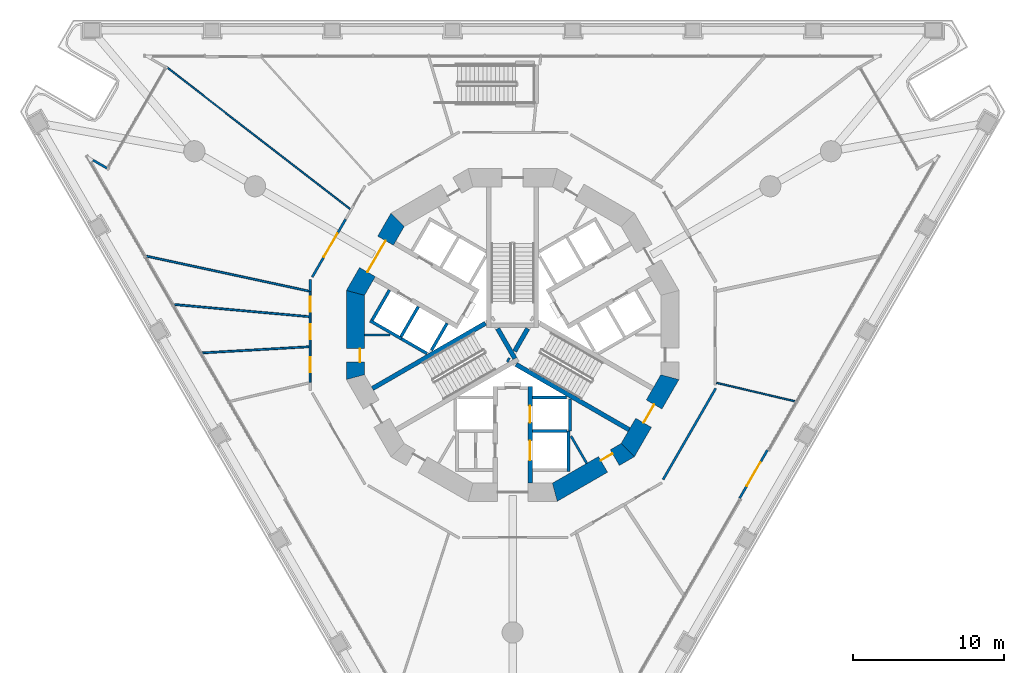
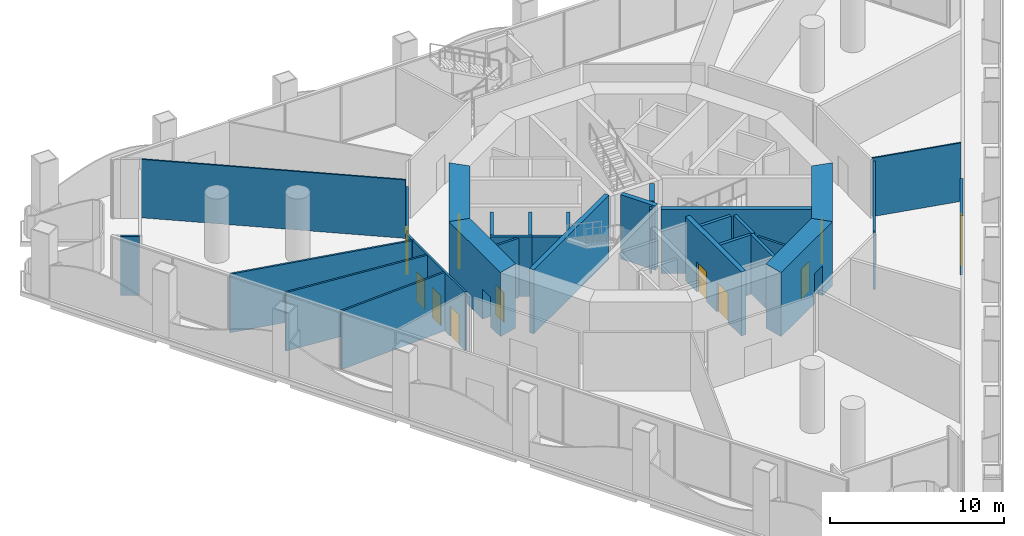
# One storey, part 12 of 23: 32 walls, 11 doors, 11 openings.
"""IFC4 building model written with IfcOpenShell, lengths in metres."""

from ifc_helpers import new_model, si_unit, direction, frame, frame_2d, origin, place, context, subcontext, project, spatial, polyline, rectangle, outline, extrude, material, layer, layer_set, type_object, element, fill, save


model = new_model("IFC4")

# Units and contexts
model_context = context("Model", 3, precision=1e-05, world=origin(), true_north=direction((0.0, 1.0)))
body_context = subcontext(model_context, "Body", "Model", "MODEL_VIEW")
ifc_project = project(units=[si_unit("LENGTHUNIT", "METRE"), si_unit("AREAUNIT", "SQUARE_METRE"), si_unit("VOLUMEUNIT", "CUBIC_METRE"), si_unit("PLANEANGLEUNIT", "RADIAN"), si_unit("MASSUNIT", "GRAM", prefix="KILO")], contexts=[model_context])

# Site, building, storey
site_placement = place(None, origin())
site = spatial("IfcSite", under=ifc_project, at=site_placement, CompositionType="ELEMENT")
building_placement = place(site_placement, origin())
building = spatial("IfcBuilding", under=site, at=building_placement, Name="Trine Commons Tower", CompositionType="ELEMENT")
storey_placement = place(building_placement, frame((0.0, 0.0, 18.0)))
storey = spatial("IfcBuildingStorey", under=building, at=storey_placement, Name="L03", CompositionType="ELEMENT", Elevation=18.0)

# Wall
ifc_material_1 = material(Name="Plasterboard on steel stud", Category="steel")
ifc_layer_1 = layer(ifc_material_1, 0.14990234375)
ifc_layer_set_1 = layer_set([ifc_layer_1], Name="Plasterboard on steel stud")
wall_type_1 = type_object("IfcWallType", Name="Compartment wall 150 mm, EI 60", PredefinedType="PARTITIONING", material=ifc_layer_set_1)
wall_1_placement = place(storey_placement, frame((66.58837890625, 65.388916015625, 0.0), z_axis=(0.0, 0.0, 1.0), x_axis=(0.0, 1.0, 0.0)))
element("IfcWall", 1, at=wall_1_placement, inside=storey, type_object=wall_type_1, Name="Partition P3010", PredefinedType="PARTITIONING", context=body_context, shape_type="SweptSolid", body=[
    extrude(rectangle(XDim=0.77978515625, YDim=0.14990234375, at=frame_2d((0.389892578125, 0.0))), origin(), (0.0, 0.0, 1.0), 4.10009765625),
])

# Wall, opening, door
wall_2_placement = place(storey_placement, frame((68.94140625, 70.1689453125, 0.0), z_axis=(0.0, 0.0, 1.0), x_axis=(-0.499983483481, -0.866034939391, 0.0)))
wall_2 = element("IfcWall", 2, at=wall_2_placement, inside=storey, type_object=wall_type_1, Name="Partition P3011", PredefinedType="PARTITIONING", context=body_context, shape_type="SweptSolid", body=[
    extrude(rectangle(XDim=4.426025390625, YDim=0.14990234375, at=frame_2d((2.212890625, 0.0))), origin(), (0.0, 0.0, 1.0), 4.10009765625),
])
opening_1_placement = place(wall_2_placement, frame((1.0966796875, 0.0, 0.0)))
opening_1 = element("IfcOpeningElement", 3, at=opening_1_placement, cuts=wall_2, Name="Opening D-P305", PredefinedType="OPENING", context=body_context, shape_type="SweptSolid", body=[
    extrude(rectangle(XDim=1.800048828125, YDim=2.10009765625, at=frame_2d((0.89990234375, 1.050048828125))), frame((0.0, 0.0849609375, 0.0), z_axis=(0.0, -1.0, 0.0), x_axis=(1.0, 0.0, 0.0)), (0.0, 0.0, 1.0), 0.169921875),
])
ifc_material_2 = material(Name="Timber fire door set", Category="wood")
door_type_1 = type_object("IfcDoorType", Name="Double swing door 1800x2100, FD30S", OperationType="DOUBLE_DOOR_DOUBLE_SWING", PredefinedType="DOOR", material=ifc_material_2)
door_1_placement = place(opening_1_placement, origin())
door_1 = element("IfcDoor", 4, at=door_1_placement, inside=storey, type_object=door_type_1, Name="Door D-P305", OperationType="DOUBLE_DOOR_DOUBLE_SWING", OverallHeight=2.10009765625, OverallWidth=1.800048828125, PredefinedType="DOOR", context=body_context, shape_type="SweptSolid", body=[
    extrude(rectangle(XDim=1.800048828125, YDim=2.10009765625, at=frame_2d((0.89990234375, 1.050048828125))), frame((0.0, 0.02490234375, 0.0), z_axis=(0.0, -1.0, 0.0), x_axis=(1.0, 0.0, 0.0)), (0.0, 0.0, 1.0), 0.050048828125),
])
fill(opening_1, door_1)

# Walls
wall_3_placement = place(storey_placement, frame((89.9580078125, 52.924560546875, 0.0), z_axis=(0.0, 0.0, 1.0), x_axis=(0.49997871953, 0.866037689721, 0.0)))
element("IfcWall", 5, at=wall_3_placement, inside=storey, type_object=wall_type_1, Name="Partition P3029", PredefinedType="PARTITIONING", context=body_context, shape_type="SweptSolid", body=[
    extrude(rectangle(XDim=6.982177734375, YDim=0.14990234375, at=frame_2d((3.4912109375, 0.0))), origin(), (0.0, 0.0, 1.0), 4.10009765625),
])
ifc_material_3 = material(Name="Plasterboard partition on steel studs", Category="steel")
ifc_layer_2 = layer(ifc_material_3, 0.14990234375)
ifc_layer_set_2 = layer_set([ifc_layer_2], Name="Plasterboard partition on steel studs")
wall_type_2 = type_object("IfcWallType", Name="Core room partition 150 mm, EI 60", PredefinedType="PARTITIONING", material=ifc_layer_set_2)
wall_4_placement = place(storey_placement, frame((70.18798828125, 62.5, 0.0), z_axis=(0.0, 0.0, 1.0), x_axis=(1.0, 0.0, 0.0)))
element("IfcWall", 6, at=wall_4_placement, inside=storey, type_object=wall_type_2, Name="Core room partition L03", PredefinedType="PARTITIONING", context=body_context, shape_type="SweptSolid", body=[
    extrude(rectangle(XDim=1.68310546875, YDim=0.14990234375, at=frame_2d((0.841552734375, 0.0))), origin(), (0.0, 0.0, 1.0), 4.14990234375),
])
wall_5_placement = place(storey_placement, frame((84.905029296875, 54.0029296875, 0.0), z_axis=(0.0, 0.0, 1.0), x_axis=(-0.5000780968, 0.865980309881, 0.0)))
element("IfcWall", 7, at=wall_5_placement, inside=storey, type_object=wall_type_2, Name="Core room partition L03", PredefinedType="PARTITIONING", context=body_context, shape_type="SweptSolid", body=[
    extrude(rectangle(XDim=2.079833984375, YDim=0.14990234375, at=frame_2d((1.0400390625, 0.0))), origin(), (0.0, 0.0, 1.0), 4.14990234375),
])

# Wall, opening, door
ifc_material_4 = material(Name="Aluminium-framed insulated wall panel", Category="aluminium")
ifc_layer_3 = layer(ifc_material_4, 0.14990234375)
ifc_layer_set_3 = layer_set([ifc_layer_3], Name="Aluminium-framed insulated wall panel")
wall_type_3 = type_object("IfcWallType", Name="Glazed entrance wall 150, EI 60", PredefinedType="SOLIDWALL", material=ifc_layer_set_3)
wall_6_placement = place(storey_placement, frame((96.876708984375, 54.89208984375, 0.0), z_axis=(0.0, 0.0, 1.0), x_axis=(-0.500029062817, -0.866008623709, 0.0)))
wall_6 = element("IfcWall", 8, at=wall_6_placement, inside=storey, type_object=wall_type_3, Name="Glazed entrance wall L03 F2 7", PredefinedType="SOLIDWALL", context=body_context, shape_type="SweptSolid", body=[
    extrude(rectangle(XDim=3.698974609375, YDim=0.14990234375, at=frame_2d((1.849609375, 0.0))), origin(), (0.0, 0.0, 1.0), 4.14990234375),
])
opening_2_placement = place(wall_6_placement, frame((0.949462890625, 0.0, 0.0)))
opening_2 = element("IfcOpeningElement", 9, at=opening_2_placement, cuts=wall_6, Name="Opening SD-L03-F2-07", PredefinedType="OPENING", context=body_context, shape_type="SweptSolid", body=[
    extrude(rectangle(XDim=1.800048828125, YDim=2.39990234375, at=frame_2d((0.89990234375, 1.199951171875))), frame((0.0, 0.0849609375, 0.0), z_axis=(0.0, -1.0, 0.0), x_axis=(1.0, 0.0, 0.0)), (0.0, 0.0, 1.0), 0.169921875),
])
ifc_material_5 = material(Name="Anodised aluminium frame with double glazing", Category="aluminium")
door_type_2 = type_object("IfcDoorType", Name="Sliding double door 1800x2400", OperationType="DOUBLE_DOOR_SLIDING", PredefinedType="DOOR", material=ifc_material_5)
door_2_placement = place(opening_2_placement, origin())
door_2 = element("IfcDoor", 10, at=door_2_placement, inside=storey, type_object=door_type_2, Name="Loggia door L03 F2 7", OperationType="DOUBLE_DOOR_SLIDING", OverallHeight=2.39990234375, OverallWidth=1.800048828125, PredefinedType="DOOR", context=body_context, shape_type="SweptSolid", body=[
    extrude(rectangle(XDim=1.800048828125, YDim=2.39990234375, at=frame_2d((0.89990234375, 1.199951171875))), frame((0.0, 0.02490234375, 0.0), z_axis=(0.0, -1.0, 0.0), x_axis=(1.0, 0.0, 0.0)), (0.0, 0.0, 1.0), 0.050048828125),
])
fill(opening_2, door_2)

# Walls
ifc_layer_4 = layer(ifc_material_4, 0.14990234375)
ifc_layer_set_4 = layer_set([ifc_layer_4], Name="Aluminium-framed insulated wall panel")
wall_type_4 = type_object("IfcWallType", Name="Glazed frame wall 150, EI 60", PredefinedType="SOLIDWALL", material=ifc_layer_set_4)
wall_7_placement = place(storey_placement, frame((52.074462890625, 74.159912109375, 0.0), z_axis=(0.0, 0.0, 1.0), x_axis=(0.865989100438, -0.500062873969, 0.0)))
element("IfcWall", 11, at=wall_7_placement, inside=storey, type_object=wall_type_4, Name="Glazed frame wall L03 R1", PredefinedType="SOLIDWALL", context=body_context, shape_type="SweptSolid", body=[
    extrude(outline(polyline([(0.1494140625, 0.074951171875), (0.1494140625, -0.074951171875), (1.235107421875, -0.074951171875), (1.235107421875, 0.074951171875), (0.1494140625, 0.074951171875)])), origin(), (0.0, 0.0, 1.0), 4.14990234375),
])
ifc_layer_5 = layer(ifc_material_1, 0.10009765625)
ifc_layer_set_5 = layer_set([ifc_layer_5], Name="Plasterboard on steel stud")
wall_type_5 = type_object("IfcWallType", Name="Partition wall 100 mm stud, not rated", PredefinedType="PARTITIONING", material=ifc_layer_set_5)
wall_8_placement = place(storey_placement, frame((57.121826171875, 80.212158203125, 0.0), z_axis=(0.0, 0.0, 1.0), x_axis=(0.790716738095, -0.612182195181, 0.0)))
element("IfcWall", 12, at=wall_8_placement, inside=storey, type_object=wall_type_5, Name="Partition P3002", PredefinedType="PARTITIONING", context=body_context, shape_type="SweptSolid", body=[
    extrude(rectangle(XDim=15.315673828125, YDim=0.10009765625, at=frame_2d((7.65771484375, 0.0))), origin(), (0.0, 0.0, 1.0), 4.10009765625),
])
wall_9_placement = place(storey_placement, frame((93.498046875, 59.33251953125, 0.0), z_axis=(0.0, 0.0, 1.0), x_axis=(0.973563899577, -0.228414827543, 0.0)))
element("IfcWall", 13, at=wall_9_placement, inside=storey, type_object=wall_type_5, Name="Partition P3033", PredefinedType="PARTITIONING", context=body_context, shape_type="SweptSolid", body=[
    extrude(rectangle(XDim=5.3388671875, YDim=0.10009765625, at=frame_2d((2.66943359375, 0.0))), origin(), (0.0, 0.0, 1.0), 4.10009765625),
])

# Wall, opening, door
ifc_material_6 = material(Name="Concrete C80/95", Category="concrete")
ifc_layer_6 = layer(ifc_material_6, 1.199951171875)
ifc_layer_set_6 = layer_set([ifc_layer_6], Name="Concrete C80/95")
wall_type_6 = type_object("IfcWallType", Name="RC shear wall 1200 mm, C80/95", PredefinedType="SHEAR", material=ifc_layer_set_6)
wall_10_placement = place(storey_placement, frame((72.45849609375, 70.260986328125, 0.0), z_axis=(0.0, 0.0, 1.0), x_axis=(-0.499979111662, -0.866037463336, 0.0)))
wall_10 = element("IfcWall", 14, at=wall_10_placement, inside=storey, type_object=wall_type_6, Name="Core wall CWA-06 L03", PredefinedType="SHEAR", context=body_context, shape_type="SweptSolid", body=[
    extrude(outline(polyline([(0.0, -0.60009765625), (5.901123046875, -0.60009765625), (5.57958984375, 0.60009765625), (0.321533203125, 0.60009765625), (0.0, -0.60009765625)])), origin(), (0.0, 0.0, 1.0), 4.5),
])
opening_3_placement = place(wall_10_placement, frame((1.75048828125, 0.0, 0.0)))
opening_3 = element("IfcOpeningElement", 15, at=opening_3_placement, cuts=wall_10, Name="Opening K06.06", PredefinedType="OPENING", context=body_context, shape_type="SweptSolid", body=[
    extrude(rectangle(XDim=2.39990234375, YDim=2.10009765625, at=frame_2d((1.199951171875, 1.050048828125))), frame((0.0, 0.60986328125, 0.0), z_axis=(0.0, -1.0, 0.0), x_axis=(1.0, 0.0, 0.0)), (0.0, 0.0, 1.0), 1.219970703125),
])
ifc_material_7 = material(Name="Steel door leaves, fire-rated", Category="steel")
door_type_3 = type_object("IfcDoorType", Name="Lobby door, double leaf 2400 x 2100, FD60", OperationType="DOUBLE_DOOR_SINGLE_SWING", PredefinedType="DOOR", material=ifc_material_7)
door_3_placement = place(opening_3_placement, origin())
door_3 = element("IfcDoor", 16, at=door_3_placement, inside=storey, type_object=door_type_3, Name="Lobby door, Passenger lift lobby B L03", OperationType="DOUBLE_DOOR_SINGLE_SWING", OverallHeight=2.10009765625, OverallWidth=2.39990234375, PredefinedType="DOOR", context=body_context, shape_type="SweptSolid", body=[
    extrude(rectangle(XDim=2.39990234375, YDim=2.10009765625, at=frame_2d((1.199951171875, 1.050048828125))), frame((0.0, 0.02490234375, 0.0), z_axis=(0.0, -1.0, 0.0), x_axis=(1.0, 0.0, 0.0)), (0.0, 0.0, 1.0), 0.050048828125),
])
fill(opening_3, door_3)

wall_11_placement = place(storey_placement, frame((69.58837890625, 65.450439453125, 0.0), z_axis=(0.0, 0.0, 1.0), x_axis=(0.0, -1.0, 0.0)))
wall_11 = element("IfcWall", 17, at=wall_11_placement, inside=storey, type_object=wall_type_6, Name="Core wall CWA-07 L03", PredefinedType="SHEAR", context=body_context, shape_type="SweptSolid", body=[
    extrude(outline(polyline([(0.0, -0.60009765625), (5.90087890625, -0.60009765625), (5.57958984375, 0.60009765625), (0.321533203125, 0.60009765625), (0.0, -0.60009765625)])), origin(), (0.0, 0.0, 1.0), 4.5),
])
opening_4_placement = place(wall_11_placement, frame((3.8505859375, 0.0, 0.0)))
opening_4 = element("IfcOpeningElement", 18, at=opening_4_placement, cuts=wall_11, Name="Opening K06.14", PredefinedType="OPENING", context=body_context, shape_type="SweptSolid", body=[
    extrude(rectangle(XDim=0.89990234375, YDim=2.10009765625, at=frame_2d((0.449951171875, 1.050048828125))), frame((0.0, 0.60986328125, 0.0), z_axis=(0.0, -1.0, 0.0), x_axis=(1.0, 0.0, 0.0)), (0.0, 0.0, 1.0), 1.219970703125),
])
ifc_material_8 = material(Name="Steel door leaf, fire-rated", Category="steel")
door_type_4 = type_object("IfcDoorType", Name="Core room door, single leaf 900 x 2100, FD30S", OperationType="SINGLE_SWING_LEFT", PredefinedType="DOOR", material=ifc_material_8)
door_4_placement = place(opening_4_placement, origin())
door_4 = element("IfcDoor", 19, at=door_4_placement, inside=storey, type_object=door_type_4, Name="Door to Comms room L03", OperationType="SINGLE_SWING_RIGHT", OverallHeight=2.10009765625, OverallWidth=0.89990234375, PredefinedType="DOOR", context=body_context, shape_type="SweptSolid", body=[
    extrude(rectangle(XDim=0.89990234375, YDim=2.10009765625, at=frame_2d((0.449951171875, 1.050048828125))), frame((0.0, 0.3251953125, 0.0), z_axis=(0.0, -1.0, 0.0), x_axis=(1.0, 0.0, 0.0)), (0.0, 0.0, 1.0), 0.050048828125),
])
fill(opening_4, door_4)

wall_12_placement = place(storey_placement, frame((82.650390625, 52.008056640625, 0.0), z_axis=(0.0, 0.0, 1.0), x_axis=(0.866037463336, 0.499979111662, 0.0)))
wall_12 = element("IfcWall", 20, at=wall_12_placement, inside=storey, type_object=wall_type_6, Name="Core wall CWA-11 L03", PredefinedType="SHEAR", context=body_context, shape_type="SweptSolid", body=[
    extrude(outline(polyline([(0.0, -0.60009765625), (5.901123046875, -0.60009765625), (5.57958984375, 0.60009765625), (0.321533203125, 0.60009765625), (0.0, -0.60009765625)])), origin(), (0.0, 0.0, 1.0), 4.5),
])
opening_5_placement = place(wall_12_placement, frame((3.849853515625, 0.0, 0.0)))
opening_5 = element("IfcOpeningElement", 21, at=opening_5_placement, cuts=wall_12, Name="Opening K06.16", PredefinedType="OPENING", context=body_context, shape_type="SweptSolid", body=[
    extrude(rectangle(XDim=0.89990234375, YDim=2.10009765625, at=frame_2d((0.449951171875, 1.050048828125))), frame((0.0, 0.60986328125, 0.0), z_axis=(0.0, -1.0, 0.0), x_axis=(1.0, 0.0, 0.0)), (0.0, 0.0, 1.0), 1.219970703125),
])
door_5_placement = place(opening_5_placement, origin())
door_5 = element("IfcDoor", 22, at=door_5_placement, inside=storey, type_object=door_type_4, Name="Door to Cleaner's store L03", OperationType="SINGLE_SWING_RIGHT", OverallHeight=2.10009765625, OverallWidth=0.89990234375, PredefinedType="DOOR", context=body_context, shape_type="SweptSolid", body=[
    extrude(rectangle(XDim=0.89990234375, YDim=2.10009765625, at=frame_2d((0.449951171875, 1.050048828125))), frame((0.0, 0.3251953125, 0.0), z_axis=(0.0, -1.0, 0.0), x_axis=(1.0, 0.0, 0.0)), (0.0, 0.0, 1.0), 0.050048828125),
])
fill(opening_5, door_5)

wall_13_placement = place(storey_placement, frame((87.54150390625, 54.739013671875, 0.0), z_axis=(0.0, 0.0, 1.0), x_axis=(0.499979111662, 0.866037463336, 0.0)))
wall_13 = element("IfcWall", 23, at=wall_13_placement, inside=storey, type_object=wall_type_6, Name="Core wall CWA-12 L03", PredefinedType="SHEAR", context=body_context, shape_type="SweptSolid", body=[
    extrude(outline(polyline([(0.0, -0.60009765625), (5.901123046875, -0.60009765625), (5.57958984375, 0.60009765625), (0.321533203125, 0.60009765625), (0.0, -0.60009765625)])), origin(), (0.0, 0.0, 1.0), 4.5),
])
opening_6_placement = place(wall_13_placement, frame((2.25048828125, 0.0, 0.0)))
opening_6 = element("IfcOpeningElement", 24, at=opening_6_placement, cuts=wall_13, Name="Opening K06.03", PredefinedType="OPENING", context=body_context, shape_type="SweptSolid", body=[
    extrude(rectangle(XDim=1.39990234375, YDim=2.10009765625, at=frame_2d((0.699951171875, 1.050048828125))), frame((0.0, 0.60986328125, 0.0), z_axis=(0.0, -1.0, 0.0), x_axis=(1.0, 0.0, 0.0)), (0.0, 0.0, 1.0), 1.219970703125),
])
door_type_5 = type_object("IfcDoorType", Name="Stair door, double leaf 1400 x 2100, FD90", OperationType="DOUBLE_DOOR_SINGLE_SWING", PredefinedType="DOOR", material=ifc_material_7)
door_6_placement = place(opening_6_placement, origin())
door_6 = element("IfcDoor", 25, at=door_6_placement, inside=storey, type_object=door_type_5, Name="Stair door to Exit stair ST3A L03", OperationType="DOUBLE_DOOR_SINGLE_SWING", OverallHeight=2.10009765625, OverallWidth=1.39990234375, PredefinedType="DOOR", context=body_context, shape_type="SweptSolid", body=[
    extrude(rectangle(XDim=1.39990234375, YDim=2.10009765625, at=frame_2d((0.699951171875, 1.050048828125))), frame((0.0, 0.02490234375, 0.0), z_axis=(0.0, -1.0, 0.0), x_axis=(1.0, 0.0, 0.0)), (0.0, 0.0, 1.0), 0.050048828125),
])
fill(opening_6, door_6)

# Wall, openings, doors
ifc_layer_7 = layer(ifc_material_6, 0.300048828125)
ifc_layer_set_7 = layer_set([ifc_layer_7], Name="Concrete C80/95")
wall_type_7 = type_object("IfcWallType", Name="RC shear wall 300 mm, C80/95", PredefinedType="SHEAR", material=ifc_layer_set_7)
wall_14_placement = place(storey_placement, frame((81.14990234375, 59.10009765625, 0.0), z_axis=(0.0, 0.0, 1.0), x_axis=(0.0, -1.0, 0.0)))
wall_14 = element("IfcWall", 26, at=wall_14_placement, inside=storey, type_object=wall_type_7, Name="Core cross wall SWA-04 L03", PredefinedType="SHEAR", context=body_context, shape_type="SweptSolid", body=[
    extrude(rectangle(XDim=6.412109375, YDim=0.300048828125, at=frame_2d((3.2060546875, 0.0))), origin(), (0.0, 0.0, 1.0), 4.5),
])
opening_7_placement = place(wall_14_placement, frame((3.60009765625, 0.0, 0.0)))
opening_7 = element("IfcOpeningElement", 27, at=opening_7_placement, cuts=wall_14, Name="Opening LD11", PredefinedType="OPENING", context=body_context, shape_type="SweptSolid", body=[
    extrude(rectangle(XDim=1.300048828125, YDim=2.10009765625, at=frame_2d((0.64990234375, 1.050048828125))), frame((0.0, 0.159912109375, 0.0), z_axis=(0.0, -1.0, 0.0), x_axis=(1.0, 0.0, 0.0)), (0.0, 0.0, 1.0), 0.320068359375),
])
opening_8_placement = place(wall_14_placement, frame((1.300048828125, 0.0, 0.0)))
opening_8 = element("IfcOpeningElement", 28, at=opening_8_placement, cuts=wall_14, Name="Opening LD9", PredefinedType="OPENING", context=body_context, shape_type="SweptSolid", body=[
    extrude(rectangle(XDim=1.10009765625, YDim=2.10009765625, at=frame_2d((0.550048828125, 1.050048828125))), frame((0.0, 0.159912109375, 0.0), z_axis=(0.0, -1.0, 0.0), x_axis=(1.0, 0.0, 0.0)), (0.0, 0.0, 1.0), 0.320068359375),
])
ifc_material_9 = material(Name="Stainless steel sliding door leaves", Category="steel")
door_type_6 = type_object("IfcDoorType", Name="Lift landing door, centre-opening sliding 1100 x 2100, FD90", OperationType="DOUBLE_DOOR_SLIDING", PredefinedType="DOOR", material=ifc_material_9)
door_7_placement = place(opening_8_placement, origin())
door_7 = element("IfcDoor", 29, at=door_7_placement, inside=storey, type_object=door_type_6, Name="Lift landing door FF1 L03", OperationType="DOUBLE_DOOR_SLIDING", OverallHeight=2.10009765625, OverallWidth=1.10009765625, PredefinedType="DOOR", context=body_context, shape_type="SweptSolid", body=[
    extrude(rectangle(XDim=1.10009765625, YDim=2.10009765625, at=frame_2d((0.550048828125, 1.050048828125))), frame((0.0, 0.02490234375, 0.0), z_axis=(0.0, -1.0, 0.0), x_axis=(1.0, 0.0, 0.0)), (0.0, 0.0, 1.0), 0.050048828125),
])
fill(opening_8, door_7)
door_type_7 = type_object("IfcDoorType", Name="Lift landing door, centre-opening sliding 1300 x 2100, FD90", OperationType="DOUBLE_DOOR_SLIDING", PredefinedType="DOOR", material=ifc_material_9)
door_8_placement = place(opening_7_placement, origin())
door_8 = element("IfcDoor", 30, at=door_8_placement, inside=storey, type_object=door_type_7, Name="Lift landing door G1 L03", OperationType="DOUBLE_DOOR_SLIDING", OverallHeight=2.10009765625, OverallWidth=1.300048828125, PredefinedType="DOOR", context=body_context, shape_type="SweptSolid", body=[
    extrude(rectangle(XDim=1.300048828125, YDim=2.10009765625, at=frame_2d((0.64990234375, 1.050048828125))), frame((0.0, 0.02490234375, 0.0), z_axis=(0.0, -1.0, 0.0), x_axis=(1.0, 0.0, 0.0)), (0.0, 0.0, 1.0), 0.050048828125),
])
fill(opening_7, door_8)

# Walls
wall_15_placement = place(storey_placement, frame((78.199951171875, 63.280029296875, 0.0), z_axis=(0.0, 0.0, 1.0), x_axis=(-0.865965399159, -0.500103916661, 0.0)))
element("IfcWall", 31, at=wall_15_placement, inside=storey, type_object=wall_type_7, Name="Core cross wall SWA-07 L03", PredefinedType="SHEAR", context=body_context, shape_type="SweptSolid", body=[
    extrude(rectangle(XDim=8.642333984375, YDim=0.300048828125, at=frame_2d((4.3212890625, 0.0))), origin(), (0.0, 0.0, 1.0), 4.5),
])
wall_16_placement = place(storey_placement, frame((79.0029296875, 62.926025390625, 0.0), z_axis=(0.0, 0.0, 1.0), x_axis=(0.499965247104, -0.866045467449, 0.0)))
element("IfcWall", 32, at=wall_16_placement, inside=storey, type_object=wall_type_7, Name="Core cross wall SWA-10 L03", PredefinedType="SHEAR", context=body_context, shape_type="SweptSolid", body=[
    extrude(rectangle(XDim=2.292236328125, YDim=0.300048828125, at=frame_2d((1.14599609375, 0.0))), origin(), (0.0, 0.0, 1.0), 4.5),
])
wall_17_placement = place(storey_placement, frame((79.64599609375, 60.885986328125, 0.0), z_axis=(0.0, 0.0, 1.0), x_axis=(0.867331893649, -0.497730234424, 0.0)))
element("IfcWall", 33, at=wall_17_placement, inside=storey, type_object=wall_type_7, Name="Core cross wall SWA-11 L03", PredefinedType="SHEAR", context=body_context, shape_type="SweptSolid", body=[
    extrude(rectangle(XDim=0.148681640625, YDim=0.300048828125, at=frame_2d((0.07421875, 0.0))), origin(), (0.0, 0.0, 1.0), 4.5),
])
wall_18_placement = place(storey_placement, frame((80.1298828125, 61.424072265625, 0.0), z_axis=(0.0, 0.0, 1.0), x_axis=(0.500014901547, 0.866016800201, 0.0)))
element("IfcWall", 34, at=wall_18_placement, inside=storey, type_object=wall_type_7, Name="Core cross wall SWA-12 L03", PredefinedType="SHEAR", context=body_context, shape_type="SweptSolid", body=[
    extrude(rectangle(XDim=1.734375, YDim=0.300048828125, at=frame_2d((0.8671875, 0.0))), origin(), (0.0, 0.0, 1.0), 4.5),
])
wall_19_placement = place(storey_placement, frame((80.22509765625, 60.552001953125, 0.0), z_axis=(0.0, 0.0, 1.0), x_axis=(0.865965399159, -0.500103916661, 0.0)))
element("IfcWall", 35, at=wall_19_placement, inside=storey, type_object=wall_type_7, Name="Core cross wall SWA-13 L03", PredefinedType="SHEAR", context=body_context, shape_type="SweptSolid", body=[
    extrude(rectangle(XDim=8.642333984375, YDim=0.300048828125, at=frame_2d((4.3212890625, 0.0))), origin(), (0.0, 0.0, 1.0), 4.5),
])
ifc_material_10 = material(Name="Fire-rated gypsum shaft wall system")
ifc_layer_8 = layer(ifc_material_10, 0.199951171875)
ifc_layer_set_8 = layer_set([ifc_layer_8], Name="Fire-rated gypsum shaft wall system")
wall_type_8 = type_object("IfcWallType", Name="Shaft wall 200 mm, EI 120", PredefinedType="PARTITIONING", material=ifc_layer_set_8)
wall_20_placement = place(storey_placement, frame((71.844970703125, 65.47607421875, 0.0), z_axis=(0.0, 0.0, 1.0), x_axis=(-0.500136062276, -0.86594683394, 0.0)))
element("IfcWall", 36, at=wall_20_placement, inside=storey, type_object=wall_type_8, Name="Shaft wall L03", PredefinedType="PARTITIONING", context=body_context, shape_type="SweptSolid", body=[
    extrude(rectangle(XDim=2.299072265625, YDim=0.199951171875, at=frame_2d((1.1494140625, 0.0))), origin(), (0.0, 0.0, 1.0), 4.14990234375),
])
wall_21_placement = place(storey_placement, frame((72.637939453125, 62.248046875, 0.0), z_axis=(0.0, 0.0, 1.0), x_axis=(-0.866177122335, 0.499737123639, 0.0)))
element("IfcWall", 37, at=wall_21_placement, inside=storey, type_object=wall_type_8, Name="Shaft wall L03", PredefinedType="PARTITIONING", context=body_context, shape_type="SweptSolid", body=[
    extrude(rectangle(XDim=2.401123046875, YDim=0.199951171875, at=frame_2d((1.20068359375, 0.0))), origin(), (0.0, 0.0, 1.0), 4.14990234375),
])
wall_22_placement = place(storey_placement, frame((73.7509765625, 64.3759765625, 0.0), z_axis=(0.0, 0.0, 1.0), x_axis=(-0.500136062276, -0.86594683394, 0.0)))
element("IfcWall", 38, at=wall_22_placement, inside=storey, type_object=wall_type_8, Name="Shaft wall L03", PredefinedType="PARTITIONING", context=body_context, shape_type="SweptSolid", body=[
    extrude(rectangle(XDim=2.299072265625, YDim=0.199951171875, at=frame_2d((1.1494140625, 0.0))), origin(), (0.0, 0.0, 1.0), 4.14990234375),
])
wall_23_placement = place(storey_placement, frame((74.324951171875, 61.27294921875, 0.0), z_axis=(0.0, 0.0, 1.0), x_axis=(-0.865780634835, 0.500423712812, 0.0)))
element("IfcWall", 39, at=wall_23_placement, inside=storey, type_object=wall_type_8, Name="Shaft wall L03", PredefinedType="PARTITIONING", context=body_context, shape_type="SweptSolid", body=[
    extrude(rectangle(XDim=1.948486328125, YDim=0.199951171875, at=frame_2d((0.97412109375, 0.0))), origin(), (0.0, 0.0, 1.0), 4.14990234375),
])
wall_24_placement = place(storey_placement, frame((75.656005859375, 63.27587890625, 0.0), z_axis=(0.0, 0.0, 1.0), x_axis=(-0.500271688072, -0.86586848777, 0.0)))
element("IfcWall", 40, at=wall_24_placement, inside=storey, type_object=wall_type_8, Name="Shaft wall L03", PredefinedType="PARTITIONING", context=body_context, shape_type="SweptSolid", body=[
    extrude(rectangle(XDim=2.064697265625, YDim=0.199951171875, at=frame_2d((1.0322265625, 0.0))), origin(), (0.0, 0.0, 1.0), 4.14990234375),
])
wall_25_placement = place(storey_placement, frame((81.300048828125, 56.14990234375, 0.0), z_axis=(0.0, 0.0, 1.0), x_axis=(1.0, 0.0, 0.0)))
element("IfcWall", 41, at=wall_25_placement, inside=storey, type_object=wall_type_8, Name="Shaft wall L03", PredefinedType="PARTITIONING", context=body_context, shape_type="SweptSolid", body=[
    extrude(rectangle(XDim=2.300048828125, YDim=0.199951171875, at=frame_2d((1.14990234375, 0.0))), origin(), (0.0, 0.0, 1.0), 4.14990234375),
])
wall_26_placement = place(storey_placement, frame((81.300048828125, 58.35009765625, 0.0), z_axis=(0.0, 0.0, 1.0), x_axis=(1.0, 0.0, 0.0)))
element("IfcWall", 42, at=wall_26_placement, inside=storey, type_object=wall_type_8, Name="Shaft wall L03", PredefinedType="PARTITIONING", context=body_context, shape_type="SweptSolid", body=[
    extrude(rectangle(XDim=2.264892578125, YDim=0.199951171875, at=frame_2d((1.13232421875, 0.0))), origin(), (0.0, 0.0, 1.0), 4.14990234375),
])
wall_27_placement = place(storey_placement, frame((83.699951171875, 56.14990234375, 0.0), z_axis=(0.0, 0.0, 1.0), x_axis=(0.0, -1.0, 0.0)))
element("IfcWall", 43, at=wall_27_placement, inside=storey, type_object=wall_type_8, Name="Shaft wall L03", PredefinedType="PARTITIONING", context=body_context, shape_type="SweptSolid", body=[
    extrude(rectangle(XDim=2.699951171875, YDim=0.199951171875, at=frame_2d((1.35009765625, 0.0))), origin(), (0.0, 0.0, 1.0), 4.14990234375),
])
wall_28_placement = place(storey_placement, frame((83.800048828125, 58.256103515625, 0.0), z_axis=(0.0, 0.0, 1.0), x_axis=(0.0, -1.0, 0.0)))
element("IfcWall", 44, at=wall_28_placement, inside=storey, type_object=wall_type_8, Name="Shaft wall L03", PredefinedType="PARTITIONING", context=body_context, shape_type="SweptSolid", body=[
    extrude(rectangle(XDim=2.106201171875, YDim=0.199951171875, at=frame_2d((1.05322265625, 0.0))), origin(), (0.0, 0.0, 1.0), 4.14990234375),
])
ifc_layer_9 = layer(ifc_material_1, 0.125)
ifc_layer_set_9 = layer_set([ifc_layer_9], Name="Plasterboard on steel stud")
wall_type_9 = type_object("IfcWallType", Name="Wet wall 125 mm stud, not rated", PredefinedType="PARTITIONING", material=ifc_layer_set_9)
wall_29_placement = place(storey_placement, frame((55.756103515625, 67.722412109375, 0.0), z_axis=(0.0, 0.0, 1.0), x_axis=(0.977575590491, -0.210584816348, 0.0)))
element("IfcWall", 45, at=wall_29_placement, inside=storey, type_object=wall_type_9, Name="Partition P3001", PredefinedType="PARTITIONING", context=body_context, shape_type="SweptSolid", body=[
    extrude(rectangle(XDim=10.990478515625, YDim=0.125, at=frame_2d((5.4951171875, 0.0))), origin(), (0.0, 0.0, 1.0), 4.10009765625),
])
wall_30_placement = place(storey_placement, frame((57.60546875, 64.51904296875, 0.0), z_axis=(0.0, 0.0, 1.0), x_axis=(0.995960669019, -0.089790566135, 0.0)))
element("IfcWall", 46, at=wall_30_placement, inside=storey, type_object=wall_type_9, Name="Partition P3003", PredefinedType="PARTITIONING", context=body_context, shape_type="SweptSolid", body=[
    extrude(rectangle(XDim=8.950927734375, YDim=0.125, at=frame_2d((4.4755859375, 0.0))), origin(), (0.0, 0.0, 1.0), 4.10009765625),
])
wall_31_placement = place(storey_placement, frame((59.455078125, 61.31591796875, 0.0), z_axis=(0.0, 0.0, 1.0), x_axis=(0.998344057792, 0.057525144687, 0.0)))
element("IfcWall", 47, at=wall_31_placement, inside=storey, type_object=wall_type_9, Name="Partition P3004", PredefinedType="PARTITIONING", context=body_context, shape_type="SweptSolid", body=[
    extrude(rectangle(XDim=7.0791015625, YDim=0.125, at=frame_2d((3.53955078125, 0.0))), origin(), (0.0, 0.0, 1.0), 4.10009765625),
])

# Wall, openings, doors
wall_32_placement = place(storey_placement, frame((66.58837890625, 59.352294921875, 0.0), z_axis=(0.0, 0.0, 1.0), x_axis=(0.0, 1.0, 0.0)))
wall_32 = element("IfcWall", 48, at=wall_32_placement, inside=storey, type_object=wall_type_9, Name="Partition P3009", PredefinedType="PARTITIONING", context=body_context, shape_type="SweptSolid", body=[
    extrude(rectangle(XDim=6.036865234375, YDim=0.125, at=frame_2d((3.0185546875, 0.0))), origin(), (0.0, 0.0, 1.0), 4.10009765625),
])
opening_9_placement = place(wall_32_placement, frame((0.6875, 0.0, 0.0)))
opening_9 = element("IfcOpeningElement", 49, at=opening_9_placement, cuts=wall_32, Name="Opening D-P302", PredefinedType="OPENING", context=body_context, shape_type="SweptSolid", body=[
    extrude(rectangle(XDim=1.0, YDim=2.10009765625, at=frame_2d((0.5, 1.050048828125))), frame((0.0, 0.072509765625, 0.0), z_axis=(0.0, -1.0, 0.0), x_axis=(1.0, 0.0, 0.0)), (0.0, 0.0, 1.0), 0.14501953125),
])
opening_10_placement = place(wall_32_placement, frame((2.86572265625, 0.0, 0.0)))
opening_10 = element("IfcOpeningElement", 50, at=opening_10_placement, cuts=wall_32, Name="Opening D-P303", PredefinedType="OPENING", context=body_context, shape_type="SweptSolid", body=[
    extrude(rectangle(XDim=1.0, YDim=2.10009765625, at=frame_2d((0.5, 1.050048828125))), frame((0.0, 0.072509765625, 0.0), z_axis=(0.0, -1.0, 0.0), x_axis=(1.0, 0.0, 0.0)), (0.0, 0.0, 1.0), 0.14501953125),
])
opening_11_placement = place(wall_32_placement, frame((4.69677734375, 0.0, 0.0)))
opening_11 = element("IfcOpeningElement", 51, at=opening_11_placement, cuts=wall_32, Name="Opening D-P304", PredefinedType="OPENING", context=body_context, shape_type="SweptSolid", body=[
    extrude(rectangle(XDim=1.0, YDim=2.10009765625, at=frame_2d((0.5, 1.050048828125))), frame((0.0, 0.072509765625, 0.0), z_axis=(0.0, -1.0, 0.0), x_axis=(1.0, 0.0, 0.0)), (0.0, 0.0, 1.0), 0.14501953125),
])
ifc_material_11 = material(Name="Painted timber", Category="wood")
door_type_8 = type_object("IfcDoorType", Name="Single swing door 1000x2100, not rated", OperationType="SINGLE_SWING_LEFT", PredefinedType="DOOR", material=ifc_material_11)
door_9_placement = place(opening_9_placement, origin())
door_9 = element("IfcDoor", 52, at=door_9_placement, inside=storey, type_object=door_type_8, Name="Door D-P302", OperationType="SINGLE_SWING_LEFT", OverallHeight=2.10009765625, OverallWidth=1.0, PredefinedType="DOOR", context=body_context, shape_type="SweptSolid", body=[
    extrude(rectangle(XDim=1.0, YDim=2.10009765625, at=frame_2d((0.5, 1.050048828125))), frame((0.0, 0.02490234375, 0.0), z_axis=(0.0, -1.0, 0.0), x_axis=(1.0, 0.0, 0.0)), (0.0, 0.0, 1.0), 0.050048828125),
])
fill(opening_9, door_9)
door_10_placement = place(opening_10_placement, origin())
door_10 = element("IfcDoor", 53, at=door_10_placement, inside=storey, type_object=door_type_8, Name="Door D-P303", OperationType="SINGLE_SWING_LEFT", OverallHeight=2.10009765625, OverallWidth=1.0, PredefinedType="DOOR", context=body_context, shape_type="SweptSolid", body=[
    extrude(rectangle(XDim=1.0, YDim=2.10009765625, at=frame_2d((0.5, 1.050048828125))), frame((0.0, 0.02490234375, 0.0), z_axis=(0.0, -1.0, 0.0), x_axis=(1.0, 0.0, 0.0)), (0.0, 0.0, 1.0), 0.050048828125),
])
fill(opening_10, door_10)
door_11_placement = place(opening_11_placement, origin())
door_11 = element("IfcDoor", 54, at=door_11_placement, inside=storey, type_object=door_type_8, Name="Door D-P304", OperationType="SINGLE_SWING_LEFT", OverallHeight=2.10009765625, OverallWidth=1.0, PredefinedType="DOOR", context=body_context, shape_type="SweptSolid", body=[
    extrude(rectangle(XDim=1.0, YDim=2.10009765625, at=frame_2d((0.5, 1.050048828125))), frame((0.0, 0.02490234375, 0.0), z_axis=(0.0, -1.0, 0.0), x_axis=(1.0, 0.0, 0.0)), (0.0, 0.0, 1.0), 0.050048828125),
])
fill(opening_11, door_11)

save(model, "model.ifc")
